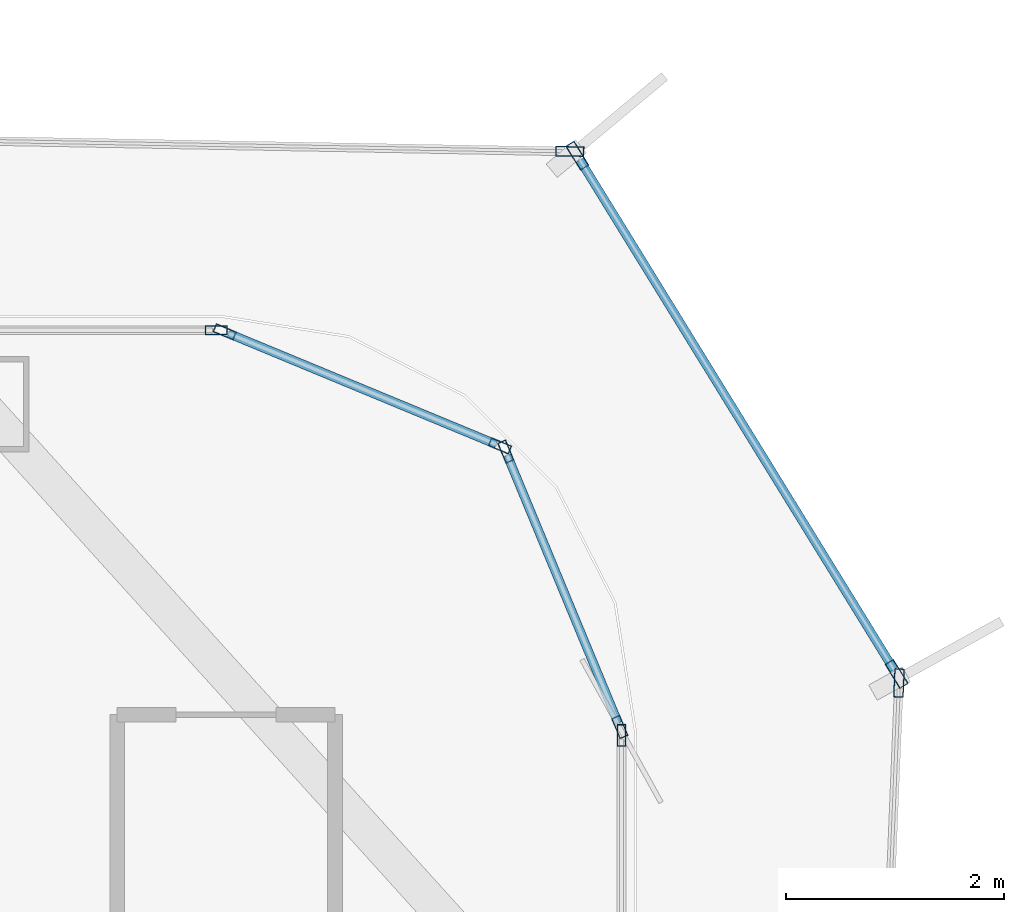
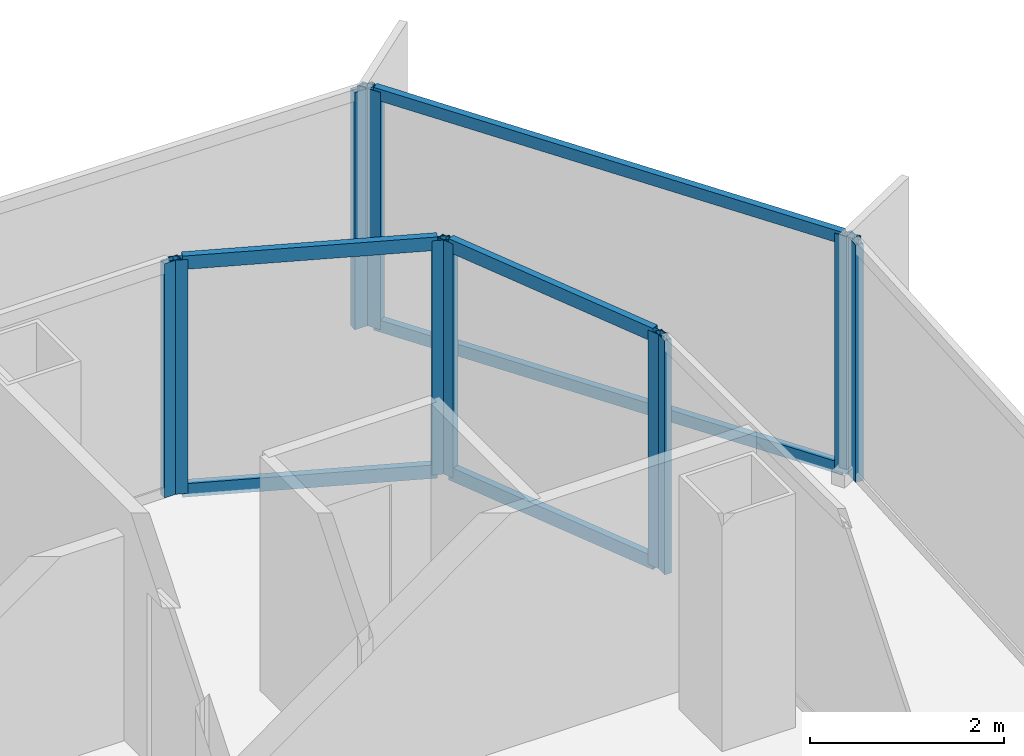
# One storey, part 14 of 21: 16 members, 7 elements without a shape of their own.
"""IFC4 building model written with IfcOpenShell, lengths in metres."""

from ifc_helpers import new_model, si_unit, direction, frame, origin, origin_2d, place, context, subcontext, project, spatial, hollow_rectangle, extrude, source, transform, mapped, material, layer, layer_set, material_profile, profile_set, type_object, element, aggregate, save


model = new_model("IFC4")

# Units and contexts
model_context = context("Model", 3, precision=1e-05, world=origin(), true_north=direction((0.0, 1.0)))
body_context = subcontext(model_context, "Body", "Model", "MODEL_VIEW")
ifc_project = project(units=[si_unit("LENGTHUNIT", "METRE"), si_unit("AREAUNIT", "SQUARE_METRE"), si_unit("VOLUMEUNIT", "CUBIC_METRE"), si_unit("PLANEANGLEUNIT", "RADIAN"), si_unit("MASSUNIT", "GRAM", prefix="KILO")], contexts=[model_context])

# Site, building, storey
site_placement = place(None, origin())
site = spatial("IfcSite", under=ifc_project, at=site_placement, CompositionType="ELEMENT")
building_placement = place(site_placement, origin())
building = spatial("IfcBuilding", under=site, at=building_placement, Name="Kolveth Station Tower", CompositionType="ELEMENT")
storey_placement = place(building_placement, frame((0.0, 0.0, 105.5)))
storey = spatial("IfcBuildingStorey", under=building, at=storey_placement, Name="L28", CompositionType="ELEMENT", Elevation=105.5)

# Curtain wall, member
ifc_material_1 = material(Name="Aluminium 6063-T6 and low-E dark glass", Category="aluminium")
ifc_layer_1 = layer(ifc_material_1, 0.18994140625)
ifc_layer_set_1 = layer_set([ifc_layer_1], Name="Aluminium 6063-T6 and low-E dark glass")
curtain_wall_type_1 = type_object("IfcCurtainWallType", Name="CurtainWall_CW-Z2", PredefinedType="NOTDEFINED", material=ifc_layer_set_1)
curtain_wall_1_placement = place(storey_placement, origin())
curtain_wall_1 = element("IfcCurtainWall", 1, at=curtain_wall_1_placement, inside=storey, type_object=curtain_wall_type_1, Name="L28 Inner Thermal Curtain Wall 3", PredefinedType="NOTDEFINED")
ifc_material_2 = material(Name="Black anodized aluminium 6063-T6", Category="aluminium")
ifc_material_profile_1 = material_profile(ifc_material_2, hollow_rectangle(XDim=0.080078125, YDim=0.199951171875, WallThickness=0.0048828125, at=origin_2d()), Name="ALU-80x200x5")
ifc_profile_set_1 = profile_set([ifc_material_profile_1], Name="Black anodized aluminium 6063-T6")
member_type_1 = type_object("IfcMemberType", Name="Mullion_ML2", PredefinedType="MULLION", material=ifc_profile_set_1)
shared_shape_1 = source(origin(), body_context, "Body", "SweptSolid", [
    extrude(hollow_rectangle(XDim=0.080078125, YDim=0.199951171875, WallThickness=0.0048828125, at=origin_2d()), origin(), (0.0, 0.0, 1.0), 2.949951171875),
])
member_1_placement = place(storey_placement, frame((46.8798828125, 31.4599609375, 0.0), z_axis=(0.0, 0.0, 1.0), x_axis=(-1.0, 0.0, 0.0)))
member_1 = element("IfcMember", 2, at=member_1_placement, type_object=member_type_1, Name="CW-Z2 mullion 2", PredefinedType="MULLION", context=body_context, shape_type="MappedRepresentation", body=[
    mapped(shared_shape_1, transform((0.0, 0.0, 0.0), x_axis=(1.0, 0.0, 0.0), y_axis=(0.0, 1.0, 0.0), z_axis=(0.0, 0.0, 1.0), scale=1.0)),
])
aggregate(curtain_wall_1, [member_1])

# Curtain wall, members
curtain_wall_2_placement = place(storey_placement, origin())
curtain_wall_2 = element("IfcCurtainWall", 3, at=curtain_wall_2_placement, inside=storey, type_object=curtain_wall_type_1, Name="L28 Inner Thermal Curtain Wall 4", PredefinedType="NOTDEFINED")
member_2_placement = place(storey_placement, frame((46.86474609375, 31.536865234375, 0.0), z_axis=(0.0, 0.0, 1.0), x_axis=(-0.923887883787, -0.38266326998, 0.0)))
member_2 = element("IfcMember", 4, at=member_2_placement, type_object=member_type_1, Name="CW-Z2 mullion 1", PredefinedType="MULLION", context=body_context, shape_type="MappedRepresentation", body=[
    mapped(shared_shape_1, transform((0.0, 0.0, 0.0), x_axis=(1.0, 0.0, 0.0), y_axis=(0.0, 1.0, 0.0), z_axis=(0.0, 0.0, 1.0), scale=1.0)),
])
member_3_placement = place(storey_placement, frame((45.817626953125, 34.065185546875, 0.0), z_axis=(0.0, 0.0, 1.0), x_axis=(-0.923887883787, -0.38266326998, 0.0)))
member_3 = element("IfcMember", 5, at=member_3_placement, type_object=member_type_1, Name="CW-Z2 mullion 2", PredefinedType="MULLION", context=body_context, shape_type="MappedRepresentation", body=[
    mapped(shared_shape_1, transform((0.0, 0.0, 0.0), x_axis=(1.0, 0.0, 0.0), y_axis=(0.0, 1.0, 0.0), z_axis=(0.0, 0.0, 1.0), scale=1.0)),
])

curtain_wall_3_placement = place(storey_placement, origin())
curtain_wall_3 = element("IfcCurtainWall", 6, at=curtain_wall_3_placement, inside=storey, type_object=curtain_wall_type_1, Name="L28 Inner Thermal Curtain Wall 5", PredefinedType="NOTDEFINED")
member_4_placement = place(storey_placement, frame((45.76513671875, 34.117431640625, 0.0), z_axis=(0.0, 0.0, 1.0), x_axis=(-0.38266326998, -0.923887883787, 0.0)))
member_4 = element("IfcMember", 7, at=member_4_placement, type_object=member_type_1, Name="CW-Z2 mullion 1", PredefinedType="MULLION", context=body_context, shape_type="MappedRepresentation", body=[
    mapped(shared_shape_1, transform((0.0, 0.0, 0.0), x_axis=(1.0, 0.0, 0.0), y_axis=(0.0, 1.0, 0.0), z_axis=(0.0, 0.0, 1.0), scale=1.0)),
])
member_5_placement = place(storey_placement, frame((43.237060546875, 35.164794921875, 0.0), z_axis=(0.0, 0.0, 1.0), x_axis=(-0.38266326998, -0.923887883787, 0.0)))
member_5 = element("IfcMember", 8, at=member_5_placement, type_object=member_type_1, Name="CW-Z2 mullion 2", PredefinedType="MULLION", context=body_context, shape_type="MappedRepresentation", body=[
    mapped(shared_shape_1, transform((0.0, 0.0, 0.0), x_axis=(1.0, 0.0, 0.0), y_axis=(0.0, 1.0, 0.0), z_axis=(0.0, 0.0, 1.0), scale=1.0)),
])

# Curtain wall, member
curtain_wall_4_placement = place(storey_placement, origin())
curtain_wall_4 = element("IfcCurtainWall", 9, at=curtain_wall_4_placement, inside=storey, type_object=curtain_wall_type_1, Name="L28 Inner Thermal Curtain Wall 6", PredefinedType="NOTDEFINED")
member_6_placement = place(storey_placement, frame((43.159912109375, 35.179931640625, 0.0), z_axis=(0.0, 0.0, 1.0), x_axis=(0.0, -1.0, 0.0)))
member_6 = element("IfcMember", 10, at=member_6_placement, type_object=member_type_1, Name="CW-Z2 mullion 1", PredefinedType="MULLION", context=body_context, shape_type="MappedRepresentation", body=[
    mapped(shared_shape_1, transform((0.0, 0.0, 0.0), x_axis=(1.0, 0.0, 0.0), y_axis=(0.0, 1.0, 0.0), z_axis=(0.0, 0.0, 1.0), scale=1.0)),
])
aggregate(curtain_wall_4, [member_6])

# Member
ifc_material_profile_2 = material_profile(ifc_material_2, hollow_rectangle(XDim=0.080078125, YDim=0.169921875, WallThickness=0.0048828125, at=origin_2d()), Name="ALU-80x170x5")
ifc_profile_set_2 = profile_set([ifc_material_profile_2], Name="Black anodized aluminium 6063-T6")
member_type_2 = type_object("IfcMemberType", Name="Transom_TR2", PredefinedType="USERDEFINED", material=ifc_profile_set_2)
shared_shape_2 = source(origin(), body_context, "Body", "SweptSolid", [
    extrude(hollow_rectangle(XDim=0.080078125, YDim=0.169921875, WallThickness=0.0048828125, at=origin_2d()), origin(), (0.0, 0.0, 1.0), 2.656494140625),
])
member_7_placement = place(storey_placement, frame((46.849365234375, 31.573974609375, 0.0400390625), z_axis=(-0.382676455475, 0.923882422403, 0.0), x_axis=(-0.923882422403, -0.382676455475, 0.0)))
member_7 = element("IfcMember", 11, at=member_7_placement, type_object=member_type_2, Name="CW-Z2 transom 1.1", ObjectType="TRANSOM", PredefinedType="USERDEFINED", context=body_context, shape_type="MappedRepresentation", body=[
    mapped(shared_shape_2, transform((0.0, 0.0, 0.0), x_axis=(1.0, 0.0, 0.0), y_axis=(0.0, 1.0, 0.0), z_axis=(0.0, 0.0, 1.0), scale=1.0)),
])

member_8_placement = place(storey_placement, frame((46.849365234375, 31.573974609375, 2.909912109375), z_axis=(-0.382676455475, 0.923882422403, 0.0), x_axis=(-0.923882422403, -0.382676455475, 0.0)))
member_8 = element("IfcMember", 12, at=member_8_placement, type_object=member_type_2, Name="CW-Z2 transom 1.2", ObjectType="TRANSOM", PredefinedType="USERDEFINED", context=body_context, shape_type="MappedRepresentation", body=[
    mapped(shared_shape_2, transform((0.0, 0.0, 0.0), x_axis=(1.0, 0.0, 0.0), y_axis=(0.0, 1.0, 0.0), z_axis=(0.0, 0.0, 1.0), scale=1.0)),
])

aggregate(curtain_wall_2, [member_2, member_3, member_7, member_8])

member_9_placement = place(storey_placement, frame((45.728271484375, 34.1328125, 0.0400390625), z_axis=(-0.923882422403, 0.382676455475, 0.0), x_axis=(-0.382676455475, -0.923882422403, 0.0)))
member_9 = element("IfcMember", 13, at=member_9_placement, type_object=member_type_2, Name="CW-Z2 transom 1.1", ObjectType="TRANSOM", PredefinedType="USERDEFINED", context=body_context, shape_type="MappedRepresentation", body=[
    mapped(shared_shape_2, transform((0.0, 0.0, 0.0), x_axis=(1.0, 0.0, 0.0), y_axis=(0.0, 1.0, 0.0), z_axis=(0.0, 0.0, 1.0), scale=1.0)),
])

member_10_placement = place(storey_placement, frame((45.728271484375, 34.1328125, 2.909912109375), z_axis=(-0.923882422403, 0.382676455475, 0.0), x_axis=(-0.382676455475, -0.923882422403, 0.0)))
member_10 = element("IfcMember", 14, at=member_10_placement, type_object=member_type_2, Name="CW-Z2 transom 1.2", ObjectType="TRANSOM", PredefinedType="USERDEFINED", context=body_context, shape_type="MappedRepresentation", body=[
    mapped(shared_shape_2, transform((0.0, 0.0, 0.0), x_axis=(1.0, 0.0, 0.0), y_axis=(0.0, 1.0, 0.0), z_axis=(0.0, 0.0, 1.0), scale=1.0)),
])

aggregate(curtain_wall_3, [member_4, member_5, member_9, member_10])

# Curtain wall, member
ifc_material_3 = material(Name="Black anodized aluminium 6063-T6 and dark solar glass", Category="aluminium")
ifc_layer_2 = layer(ifc_material_3, 0.159912109375)
ifc_layer_set_2 = layer_set([ifc_layer_2], Name="Black anodized aluminium 6063-T6 and dark solar glass")
curtain_wall_type_2 = type_object("IfcCurtainWallType", Name="OUTER SKIN CW-OS", PredefinedType="NOTDEFINED", material=ifc_layer_set_2)
curtain_wall_5_placement = place(storey_placement, origin())
curtain_wall_5 = element("IfcCurtainWall", 15, at=curtain_wall_5_placement, inside=storey, type_object=curtain_wall_type_2, Name="L28 Outer Ventilated Skin Curtain Wall 2", PredefinedType="NOTDEFINED")
ifc_material_profile_3 = material_profile(ifc_material_2, hollow_rectangle(XDim=0.090087890625, YDim=0.260009765625, WallThickness=0.0048828125, at=origin_2d()), Name="ALU-90x260x5")
ifc_profile_set_3 = profile_set([ifc_material_profile_3], Name="Black anodized aluminium 6063-T6")
member_type_3 = type_object("IfcMemberType", Name="FIN MULLION ML-OS", PredefinedType="MULLION", material=ifc_profile_set_3)
shared_shape_3 = source(origin(), body_context, "Body", "SweptSolid", [
    extrude(hollow_rectangle(XDim=0.090087890625, YDim=0.260009765625, WallThickness=0.0048828125, at=origin_2d()), origin(), (0.0, 0.0, 1.0), 2.989990234375),
])
member_11_placement = place(storey_placement, frame((49.427734375, 31.940673828125, 0.0), z_axis=(0.0, 0.0, 1.0), x_axis=(-0.999153899968, 0.041127657099, 0.0)))
member_11 = element("IfcMember", 16, at=member_11_placement, type_object=member_type_3, Name="CW-OS mullion 2", PredefinedType="MULLION", context=body_context, shape_type="MappedRepresentation", body=[
    mapped(shared_shape_3, transform((0.0, 0.0, 0.0), x_axis=(1.0, 0.0, 0.0), y_axis=(0.0, 1.0, 0.0), z_axis=(0.0, 0.0, 1.0), scale=1.0)),
])
aggregate(curtain_wall_5, [member_11])

# Curtain wall, members
curtain_wall_6_placement = place(storey_placement, origin())
curtain_wall_6 = element("IfcCurtainWall", 17, at=curtain_wall_6_placement, inside=storey, type_object=curtain_wall_type_2, Name="L28 Outer Ventilated Skin Curtain Wall 3", PredefinedType="NOTDEFINED")
member_12_placement = place(storey_placement, frame((49.406005859375, 32.02392578125, 0.0), z_axis=(0.0, 0.0, 1.0), x_axis=(-0.85135465358, -0.524590558272, 0.0)))
member_12 = element("IfcMember", 18, at=member_12_placement, type_object=member_type_3, Name="CW-OS mullion 1", PredefinedType="MULLION", context=body_context, shape_type="MappedRepresentation", body=[
    mapped(shared_shape_3, transform((0.0, 0.0, 0.0), x_axis=(1.0, 0.0, 0.0), y_axis=(0.0, 1.0, 0.0), z_axis=(0.0, 0.0, 1.0), scale=1.0)),
])
member_13_placement = place(storey_placement, frame((46.47412109375, 36.781982421875, 0.0), z_axis=(0.0, 0.0, 1.0), x_axis=(-0.85135465358, -0.524590558272, 0.0)))
member_13 = element("IfcMember", 19, at=member_13_placement, type_object=member_type_3, Name="CW-OS mullion 2", PredefinedType="MULLION", context=body_context, shape_type="MappedRepresentation", body=[
    mapped(shared_shape_3, transform((0.0, 0.0, 0.0), x_axis=(1.0, 0.0, 0.0), y_axis=(0.0, 1.0, 0.0), z_axis=(0.0, 0.0, 1.0), scale=1.0)),
])

# Curtain wall, member
curtain_wall_7_placement = place(storey_placement, origin())
curtain_wall_7 = element("IfcCurtainWall", 20, at=curtain_wall_7_placement, inside=storey, type_object=curtain_wall_type_2, Name="L28 Outer Ventilated Skin Curtain Wall 4", PredefinedType="NOTDEFINED")
member_14_placement = place(storey_placement, frame((46.405517578125, 36.821044921875, 0.0), z_axis=(0.0, 0.0, 1.0), x_axis=(-0.017990578845, -0.99983815644, 0.0)))
member_14 = element("IfcMember", 21, at=member_14_placement, type_object=member_type_3, Name="CW-OS mullion 1", PredefinedType="MULLION", context=body_context, shape_type="MappedRepresentation", body=[
    mapped(shared_shape_3, transform((0.0, 0.0, 0.0), x_axis=(1.0, 0.0, 0.0), y_axis=(0.0, 1.0, 0.0), z_axis=(0.0, 0.0, 1.0), scale=1.0)),
])
aggregate(curtain_wall_7, [member_14])

# Member
ifc_material_profile_4 = material_profile(ifc_material_2, hollow_rectangle(XDim=0.080078125, YDim=0.14990234375, WallThickness=0.0048828125, at=origin_2d()), Name="ALU-80x150x5")
ifc_profile_set_4 = profile_set([ifc_material_profile_4], Name="Black anodized aluminium 6063-T6")
member_type_4 = type_object("IfcMemberType", Name="Transom_TR-OS", PredefinedType="USERDEFINED", material=ifc_profile_set_4)
shared_shape_4 = source(origin(), body_context, "Body", "SweptSolid", [
    extrude(hollow_rectangle(XDim=0.080078125, YDim=0.14990234375, WallThickness=0.0048828125, at=origin_2d()), origin(), (0.0, 0.0, 1.0), 5.498779296875),
])
member_15_placement = place(storey_placement, frame((49.38232421875, 32.062255859375, 0.0400390625), z_axis=(-0.524580400581, 0.851360912496, 0.0), x_axis=(-0.851360912496, -0.524580400581, 0.0)))
member_15 = element("IfcMember", 22, at=member_15_placement, type_object=member_type_4, Name="CW-OS transom 1.1", ObjectType="TRANSOM", PredefinedType="USERDEFINED", context=body_context, shape_type="MappedRepresentation", body=[
    mapped(shared_shape_4, transform((0.0, 0.0, 0.0), x_axis=(1.0, 0.0, 0.0), y_axis=(0.0, 1.0, 0.0), z_axis=(0.0, 0.0, 1.0), scale=1.0)),
])

member_16_placement = place(storey_placement, frame((49.38232421875, 32.062255859375, 2.949951171875), z_axis=(-0.524580400581, 0.851360912496, 0.0), x_axis=(-0.851360912496, -0.524580400581, 0.0)))
member_16 = element("IfcMember", 23, at=member_16_placement, type_object=member_type_4, Name="CW-OS transom 1.2", ObjectType="TRANSOM", PredefinedType="USERDEFINED", context=body_context, shape_type="MappedRepresentation", body=[
    mapped(shared_shape_4, transform((0.0, 0.0, 0.0), x_axis=(1.0, 0.0, 0.0), y_axis=(0.0, 1.0, 0.0), z_axis=(0.0, 0.0, 1.0), scale=1.0)),
])

aggregate(curtain_wall_6, [member_12, member_13, member_15, member_16])

save(model, "model.ifc")
